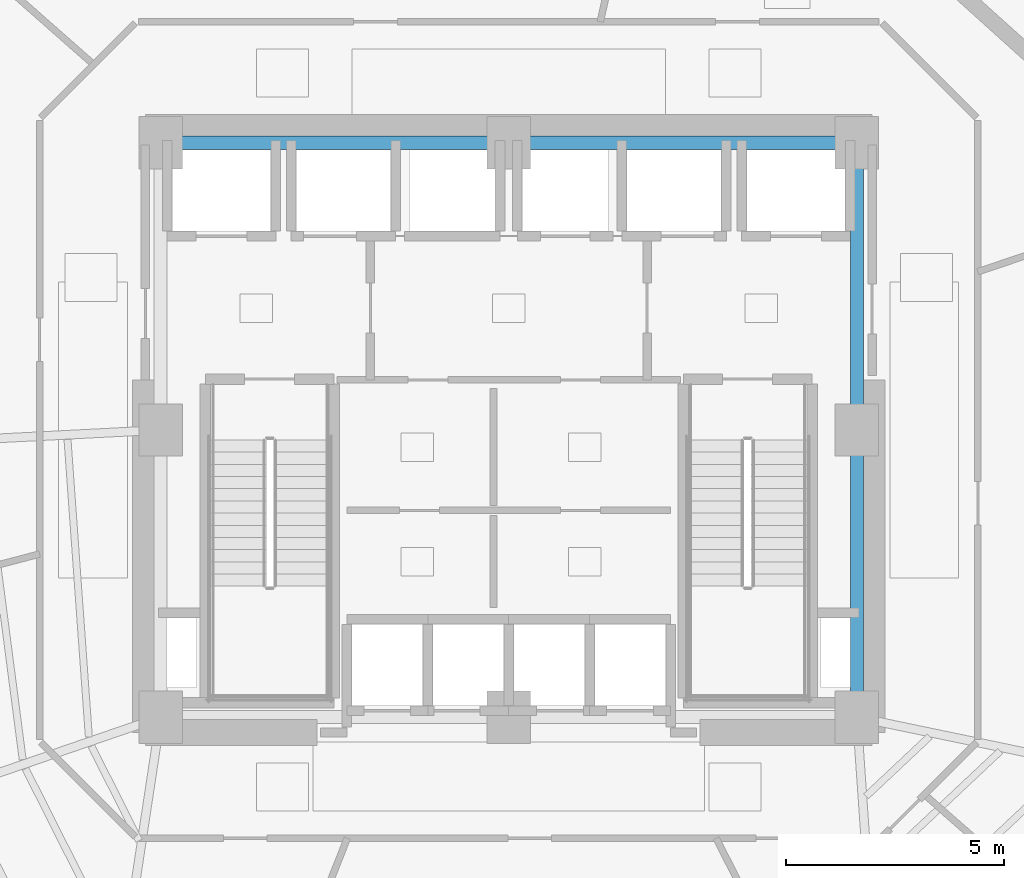
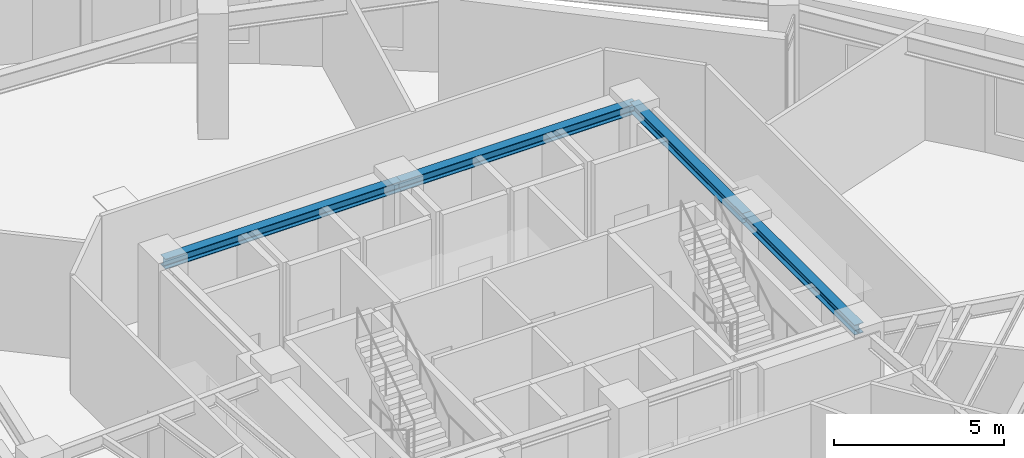
# One storey, part 5 of 19: 4 beams.
"""IFC4 building model written with IfcOpenShell, lengths in metres."""

from ifc_helpers import new_model, si_unit, direction, frame, origin, origin_2d, place, context, subcontext, project, spatial, i_section, extrude, material, material_profile, profile_set, type_object, element, save


model = new_model("IFC4")

# Units and contexts
model_context = context("Model", 3, precision=1e-05, world=origin(), true_north=direction((0.0, 1.0)))
body_context = subcontext(model_context, "Body", "Model", "MODEL_VIEW")
ifc_project = project(units=[si_unit("LENGTHUNIT", "METRE"), si_unit("AREAUNIT", "SQUARE_METRE"), si_unit("VOLUMEUNIT", "CUBIC_METRE"), si_unit("PLANEANGLEUNIT", "RADIAN"), si_unit("MASSUNIT", "GRAM", prefix="KILO")], contexts=[model_context])

# Site, building, storey
site_placement = place(None, origin())
site = spatial("IfcSite", under=ifc_project, at=site_placement, CompositionType="ELEMENT")
building_placement = place(site_placement, origin())
building = spatial("IfcBuilding", under=site, at=building_placement, Name="Ndelora Gate Hotel", CompositionType="ELEMENT")
storey_placement = place(building_placement, frame((0.0, 0.0, 88.25)))
storey = spatial("IfcBuildingStorey", under=building, at=storey_placement, Name="L21", CompositionType="ELEMENT", Elevation=88.25)

# Beams
ifc_material = material(Name="Steel S355", Category="steel")
ifc_material_profile = material_profile(ifc_material, i_section(OverallWidth=0.300048828125, OverallDepth=0.360107421875, WebThickness=0.012451171875, FlangeThickness=0.0224609375, FilletRadius=0.027099609375, at=origin_2d()), Name="HEB 360")
ifc_profile_set = profile_set([ifc_material_profile], Name="Steel S355")
beam_type = type_object("IfcBeamType", Name="BM-CORE-360", PredefinedType="BEAM", material=ifc_profile_set)
for number, where, z_axis, x_axis, name in (
    (1, (-8.0, 6.60009765625, 4.030029296875), (1.0, 0.0, 0.0), (0.0, 1.0, 0.0), "L21 Core Tie Girder CC7-CC6"),
    (2, (0.0, 6.60009765625, 4.030029296875), (1.0, 0.0, 0.0), (0.0, 1.0, 0.0), "L21 Core Tie Girder CC6-CC5"),
):
    element("IfcBeam", number, at=place(storey_placement, frame(where, z_axis=z_axis, x_axis=x_axis)), inside=storey, type_object=beam_type, Name=name, PredefinedType="BEAM", context=body_context, shape_type="SweptSolid", body=[
        extrude(i_section(OverallWidth=0.300048828125, OverallDepth=0.360107421875, WebThickness=0.012451171875, FlangeThickness=0.0224609375, FilletRadius=0.027099609375, at=origin_2d()), origin(), (0.0, 0.0, 1.0), 8.0),
    ])
for number, where, z_axis, x_axis, name in (
    (3, (8.0, -6.60009765625, 4.030029296875), (0.0, 1.0, 0.0), (-1.0, 0.0, 0.0), "L21 Core Tie Girder CC3-CC4"),
    (4, (8.0, 0.0, 4.030029296875), (0.0, 1.0, 0.0), (-1.0, 0.0, 0.0), "L21 Core Tie Girder CC4-CC5"),
):
    element("IfcBeam", number, at=place(storey_placement, frame(where, z_axis=z_axis, x_axis=x_axis)), inside=storey, type_object=beam_type, Name=name, PredefinedType="BEAM", context=body_context, shape_type="SweptSolid", body=[
        extrude(i_section(OverallWidth=0.300048828125, OverallDepth=0.360107421875, WebThickness=0.012451171875, FlangeThickness=0.0224609375, FilletRadius=0.027099609375, at=origin_2d()), origin(), (0.0, 0.0, 1.0), 6.60009765625),
    ])

save(model, "model.ifc")
